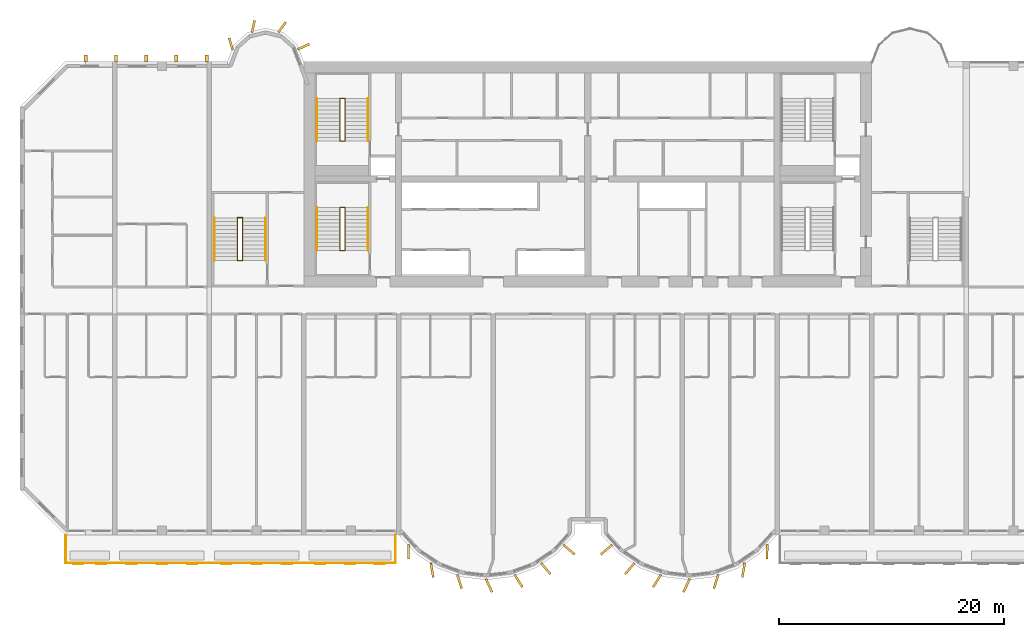
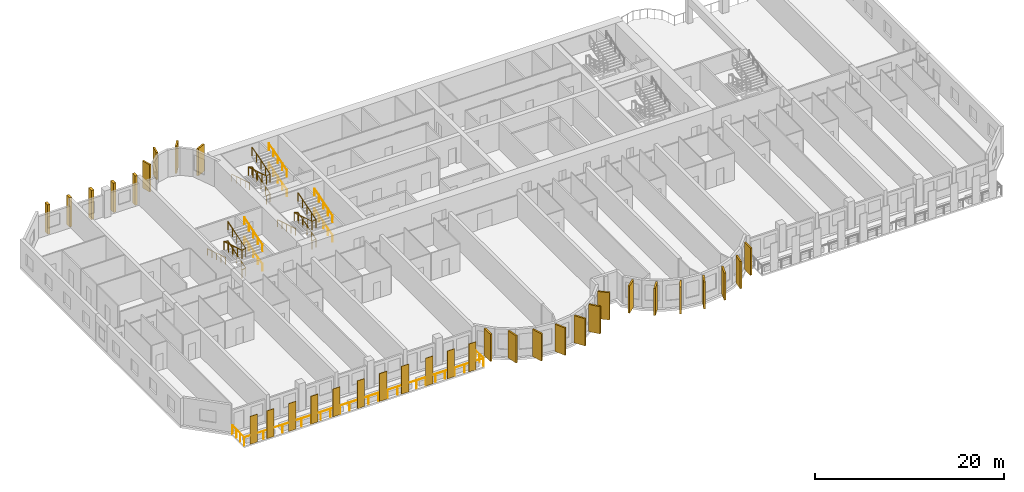
# One storey, part 12 of 14: 34 coverings, 13 railings.
"""IFC4 building model written with IfcOpenShell, lengths in metres."""

from ifc_helpers import new_model, si_unit, direction, frame, origin, origin_2d, place, context, subcontext, project, spatial, rectangle, circle, extrude, source, transform, mapped, material, layer, layer_set, material_profile, profile_set, type_object, element, save


model = new_model("IFC4")

# Units and contexts
model_context = context("Model", 3, precision=1e-05, world=origin(), true_north=direction((0.0, 1.0)))
body_context = subcontext(model_context, "Body", "Model", "MODEL_VIEW")
ifc_project = project(units=[si_unit("LENGTHUNIT", "METRE"), si_unit("AREAUNIT", "SQUARE_METRE"), si_unit("VOLUMEUNIT", "CUBIC_METRE"), si_unit("PLANEANGLEUNIT", "RADIAN"), si_unit("MASSUNIT", "GRAM", prefix="KILO")], contexts=[model_context])

# Site, building, storey
site_placement = place(None, origin())
site = spatial("IfcSite", under=ifc_project, at=site_placement, CompositionType="ELEMENT")
building_placement = place(site_placement, origin())
building = spatial("IfcBuilding", under=site, at=building_placement, Name="Vanashikhar Sky Hotel", CompositionType="ELEMENT")
storey_placement = place(building_placement, frame((0.0, 0.0, 58.199951171875)))
storey = spatial("IfcBuildingStorey", under=building, at=storey_placement, Name="L13", CompositionType="ELEMENT", Elevation=58.199951171875)

# Railing
ifc_material_1 = material(Name="Stainless steel 316", Category="steel")
railing_type_1 = type_object("IfcRailingType", Name="Balcony guard 1100", PredefinedType="GUARDRAIL", material=ifc_material_1)
shared_shape_1 = source(origin(), body_context, "Body", "SweptSolid", [
    extrude(circle(Radius=0.02392578125, at=origin_2d()), frame((0.0, 0.0, 1.076171875), z_axis=(0.0, -1.0, 0.0), x_axis=(1.0, 0.0, 0.0)), (0.0, 0.0, 1.0), 2.5),
    extrude(circle(Radius=0.02392578125, at=origin_2d()), frame((0.0, -2.5, 1.076171875), z_axis=(1.0, 0.0, 0.0), x_axis=(0.0, 1.0, 0.0)), (0.0, 0.0, 1.0), 29.280029296875),
    extrude(circle(Radius=0.02392578125, at=origin_2d()), frame((29.280029296875, -2.5, 1.076171875), z_axis=(0.0, 1.0, 0.0), x_axis=(-1.0, 0.0, 0.0)), (0.0, 0.0, 1.0), 2.5),
    extrude(circle(Radius=0.02099609375, at=origin_2d()), origin(), (0.0, 0.0, 1.0), 1.052001953125),
    extrude(circle(Radius=0.02099609375, at=origin_2d()), frame((0.0, -0.833251953125, 0.0)), (0.0, 0.0, 1.0), 1.052001953125),
    extrude(circle(Radius=0.02099609375, at=origin_2d()), frame((0.0, -1.666748046875, 0.0)), (0.0, 0.0, 1.0), 1.052001953125),
    extrude(circle(Radius=0.02099609375, at=origin_2d()), frame((0.0, -2.5, 0.0)), (0.0, 0.0, 1.0), 1.052001953125),
    extrude(circle(Radius=0.02099609375, at=origin_2d()), frame((1.171142578125, -2.5, 0.0)), (0.0, 0.0, 1.0), 1.052001953125),
    extrude(circle(Radius=0.02099609375, at=origin_2d()), frame((2.34228515625, -2.5, 0.0)), (0.0, 0.0, 1.0), 1.052001953125),
    extrude(circle(Radius=0.02099609375, at=origin_2d()), frame((3.513671875, -2.5, 0.0)), (0.0, 0.0, 1.0), 1.052001953125),
    extrude(circle(Radius=0.02099609375, at=origin_2d()), frame((4.684814453125, -2.5, 0.0)), (0.0, 0.0, 1.0), 1.052001953125),
    extrude(circle(Radius=0.02099609375, at=origin_2d()), frame((5.85595703125, -2.5, 0.0)), (0.0, 0.0, 1.0), 1.052001953125),
    extrude(circle(Radius=0.02099609375, at=origin_2d()), frame((7.027099609375, -2.5, 0.0)), (0.0, 0.0, 1.0), 1.052001953125),
    extrude(circle(Radius=0.02099609375, at=origin_2d()), frame((8.198486328125, -2.5, 0.0)), (0.0, 0.0, 1.0), 1.052001953125),
    extrude(circle(Radius=0.02099609375, at=origin_2d()), frame((9.36962890625, -2.5, 0.0)), (0.0, 0.0, 1.0), 1.052001953125),
    extrude(circle(Radius=0.02099609375, at=origin_2d()), frame((10.540771484375, -2.5, 0.0)), (0.0, 0.0, 1.0), 1.052001953125),
    extrude(circle(Radius=0.02099609375, at=origin_2d()), frame((11.7119140625, -2.5, 0.0)), (0.0, 0.0, 1.0), 1.052001953125),
    extrude(circle(Radius=0.02099609375, at=origin_2d()), frame((12.88330078125, -2.5, 0.0)), (0.0, 0.0, 1.0), 1.052001953125),
    extrude(circle(Radius=0.02099609375, at=origin_2d()), frame((14.054443359375, -2.5, 0.0)), (0.0, 0.0, 1.0), 1.052001953125),
    extrude(circle(Radius=0.02099609375, at=origin_2d()), frame((15.2255859375, -2.5, 0.0)), (0.0, 0.0, 1.0), 1.052001953125),
    extrude(circle(Radius=0.02099609375, at=origin_2d()), frame((16.396728515625, -2.5, 0.0)), (0.0, 0.0, 1.0), 1.052001953125),
    extrude(circle(Radius=0.02099609375, at=origin_2d()), frame((17.568115234375, -2.5, 0.0)), (0.0, 0.0, 1.0), 1.052001953125),
    extrude(circle(Radius=0.02099609375, at=origin_2d()), frame((18.7392578125, -2.5, 0.0)), (0.0, 0.0, 1.0), 1.052001953125),
    extrude(circle(Radius=0.02099609375, at=origin_2d()), frame((19.910400390625, -2.5, 0.0)), (0.0, 0.0, 1.0), 1.052001953125),
    extrude(circle(Radius=0.02099609375, at=origin_2d()), frame((21.08154296875, -2.5, 0.0)), (0.0, 0.0, 1.0), 1.052001953125),
    extrude(circle(Radius=0.02099609375, at=origin_2d()), frame((22.2529296875, -2.5, 0.0)), (0.0, 0.0, 1.0), 1.052001953125),
    extrude(circle(Radius=0.02099609375, at=origin_2d()), frame((23.424072265625, -2.5, 0.0)), (0.0, 0.0, 1.0), 1.052001953125),
    extrude(circle(Radius=0.02099609375, at=origin_2d()), frame((24.59521484375, -2.5, 0.0)), (0.0, 0.0, 1.0), 1.052001953125),
    extrude(circle(Radius=0.02099609375, at=origin_2d()), frame((25.766357421875, -2.5, 0.0)), (0.0, 0.0, 1.0), 1.052001953125),
    extrude(circle(Radius=0.02099609375, at=origin_2d()), frame((26.937744140625, -2.5, 0.0)), (0.0, 0.0, 1.0), 1.052001953125),
    extrude(circle(Radius=0.02099609375, at=origin_2d()), frame((28.10888671875, -2.5, 0.0)), (0.0, 0.0, 1.0), 1.052001953125),
    extrude(circle(Radius=0.02099609375, at=origin_2d()), frame((29.280029296875, -2.5, 0.0)), (0.0, 0.0, 1.0), 1.052001953125),
    extrude(circle(Radius=0.02099609375, at=origin_2d()), frame((29.280029296875, -1.666748046875, 0.0)), (0.0, 0.0, 1.0), 1.052001953125),
    extrude(circle(Radius=0.02099609375, at=origin_2d()), frame((29.280029296875, -0.833251953125, 0.0)), (0.0, 0.0, 1.0), 1.052001953125),
    extrude(circle(Radius=0.02099609375, at=origin_2d()), frame((29.280029296875, 0.0, 0.0)), (0.0, 0.0, 1.0), 1.052001953125),
])
railing_1_placement = place(storey_placement, frame((4.06005859375, 0.0, -0.050048828125)))
element("IfcRailing", 1, at=railing_1_placement, inside=storey, type_object=railing_type_1, Name="Balcony guard", PredefinedType="GUARDRAIL", context=body_context, shape_type="MappedRepresentation", body=[
    mapped(shared_shape_1, transform((0.0, 0.0, 0.0), scale=1.0)),
])

# Coverings
ifc_material_2 = material(Name="Terracotta", Category="masonry")
ifc_layer = layer(ifc_material_2, 0.06005859375)
ifc_layer_set = layer_set([ifc_layer], Name="Terracotta baguette screen")
covering_type_1 = type_object("IfcCoveringType", Name="Terracotta baguette screen", PredefinedType="CLADDING", material=ifc_layer_set)
shared_shape_2 = source(origin(), body_context, "Body", "SweptSolid", [
    extrude(rectangle(XDim=0.89990234375, YDim=0.06005859375, at=origin_2d()), origin(), (0.0, 0.0, 1.0), 3.60009765625),
])
for number, where, z_axis, x_axis, name in (
    (2, (5.175048828125, -2.570068359375, -0.050048828125), (0.0, 0.0, 1.0), (1.0, 0.0, 0.0), "Terracotta screen"),
    (3, (7.22509765625, -2.570068359375, -0.050048828125), (0.0, 0.0, 1.0), (1.0, 0.0, 0.0), "Terracotta screen"),
    (4, (9.89990234375, -2.570068359375, -0.050048828125), (0.0, 0.0, 1.0), (1.0, 0.0, 0.0), "Terracotta screen"),
    (5, (12.60009765625, -2.570068359375, -0.050048828125), (0.0, 0.0, 1.0), (1.0, 0.0, 0.0), "Terracotta screen"),
    (6, (15.300048828125, -2.570068359375, -0.050048828125), (0.0, 0.0, 1.0), (1.0, 0.0, 0.0), "Terracotta screen"),
    (7, (18.300048828125, -2.570068359375, -0.050048828125), (0.0, 0.0, 1.0), (1.0, 0.0, 0.0), "Terracotta screen"),
    (8, (21.0, -2.570068359375, -0.050048828125), (0.0, 0.0, 1.0), (1.0, 0.0, 0.0), "Terracotta screen"),
    (9, (23.699951171875, -2.570068359375, -0.050048828125), (0.0, 0.0, 1.0), (1.0, 0.0, 0.0), "Terracotta screen"),
    (10, (26.666748046875, -2.570068359375, -0.050048828125), (0.0, 0.0, 1.0), (1.0, 0.0, 0.0), "Terracotta screen"),
    (11, (29.300048828125, -2.570068359375, -0.050048828125), (0.0, 0.0, 1.0), (1.0, 0.0, 0.0), "Terracotta screen"),
    (12, (31.933349609375, -2.570068359375, -0.050048828125), (0.0, 0.0, 1.0), (1.0, 0.0, 0.0), "Terracotta screen"),
):
    element("IfcCovering", number, at=place(storey_placement, frame(where, z_axis=z_axis, x_axis=x_axis)), inside=storey, type_object=covering_type_1, Name=name, PredefinedType="CLADDING", context=body_context, shape_type="MappedRepresentation", body=[
        mapped(shared_shape_2, transform((0.0, 0.0, 0.0), scale=1.0)),
    ])
ifc_material_3 = material(Name="Concrete M60 dark", Category="concrete")
ifc_material_profile_1 = material_profile(ifc_material_3, rectangle(XDim=1.300048828125, YDim=0.199951171875, at=origin_2d()))
ifc_profile_set_1 = profile_set([ifc_material_profile_1], Name="Fin 1300 x 200")
covering_type_2 = type_object("IfcCoveringType", Name="Fin 1300 x 200", PredefinedType="CLADDING", material=ifc_profile_set_1)
shared_shape_3 = source(origin(), body_context, "Body", "SweptSolid", [
    extrude(rectangle(XDim=1.300048828125, YDim=0.199951171875, at=origin_2d()), origin(), (0.0, 0.0, 1.0), 3.52001953125),
])
for number, where, z_axis, x_axis, name in (
    (13, (34.482421875, -1.507080078125, 0.0), (0.0, 0.0, 1.0), (0.011588726826, -0.999932848451, 0.0), "Fin F1-1"),
    (14, (36.572509765625, -3.1220703125, 0.0), (0.0, 0.0, 1.0), (0.16989991575, -0.985461322746, 0.0), "Fin F1-2"),
    (15, (39.00830078125, -4.14306640625, 0.0), (0.0, 0.0, 1.0), (0.303966551867, -0.952682704444, 0.0), "Fin F1-3"),
    (16, (41.63232421875, -4.49853515625, 0.0), (0.0, 0.0, 1.0), (0.422618261741, -0.906307787037, 0.0), "Fin F1-4"),
    (17, (44.251953125, -4.083984375, 0.0), (0.0, 0.0, 1.0), (0.534411358496, -0.845224526331, 0.0), "Fin F1-5"),
    (18, (46.676025390625, -3.0, 0.0), (0.0, 0.0, 1.0), (0.645697609467, -0.763593214433, 0.0), "Fin F1-6"),
    (19, (48.7412109375, -1.3154296875, 0.0), (0.0, 0.0, 1.0), (0.758543912032, -0.65162192529, 0.0), "Fin F1-7"),
    (20, (52.058837890625, -1.3154296875, 0.0), (0.0, 0.0, 1.0), (-0.758543912032, -0.65162192529, 0.0), "Fin F2-1"),
    (21, (54.123779296875, -3.0, 0.0), (0.0, 0.0, 1.0), (-0.645697609467, -0.763593214433, 0.0), "Fin F2-2"),
    (22, (56.547119140625, -4.083984375, 0.0), (0.0, 0.0, 1.0), (-0.534411358496, -0.845224526331, 0.0), "Fin F2-3"),
    (23, (59.16748046875, -4.49853515625, 0.0), (0.0, 0.0, 1.0), (-0.422618261741, -0.906307787037, 0.0), "Fin F2-4"),
    (24, (61.790771484375, -4.14306640625, 0.0), (0.0, 0.0, 1.0), (-0.303966551867, -0.952682704444, 0.0), "Fin F2-5"),
    (25, (64.2275390625, -3.1220703125, 0.0), (0.0, 0.0, 1.0), (-0.16989991575, -0.985461322746, 0.0), "Fin F2-6"),
    (26, (66.317626953125, -1.507080078125, 0.0), (0.0, 0.0, 1.0), (-0.011588726826, -0.999932848451, 0.0), "Fin F2-7"),
):
    element("IfcCovering", number, at=place(storey_placement, frame(where, z_axis=z_axis, x_axis=x_axis)), inside=storey, type_object=covering_type_2, Name=name, PredefinedType="CLADDING", context=body_context, shape_type="MappedRepresentation", body=[
        mapped(shared_shape_3, transform((0.0, 0.0, 0.0), scale=1.0)),
    ])
ifc_material_profile_2 = material_profile(ifc_material_3, rectangle(XDim=1.10009765625, YDim=0.199951171875, at=origin_2d()))
ifc_profile_set_2 = profile_set([ifc_material_profile_2], Name="Rear lobe fin 1100 x 200")
covering_type_3 = type_object("IfcCoveringType", Name="Rear lobe fin 1100 x 200", PredefinedType="CLADDING", material=ifc_profile_set_2)
shared_shape_4 = source(origin(), body_context, "Body", "SweptSolid", [
    extrude(rectangle(XDim=1.10009765625, YDim=0.199951171875, at=origin_2d()), origin(), (0.0, 0.0, 1.0), 3.52001953125),
])
for number, where, z_axis, x_axis, name in (
    (27, (18.720703125, 43.580078125, 0.0), (0.0, 0.0, 1.0), (-0.262711264409, 0.964874495234, 0.0), "Fin R1-1"),
    (28, (20.710205078125, 45.1455078125, 0.0), (0.0, 0.0, 1.0), (0.224644935864, 0.974440687159, 0.0), "Fin R1-2"),
    (29, (23.261962890625, 45.06640625, 0.0), (0.0, 0.0, 1.0), (0.602065892195, 0.798446404874, 0.0), "Fin R1-3"),
    (30, (25.169677734375, 43.33447265625, 0.0), (0.0, 0.0, 1.0), (0.908004291068, 0.418960866193, 0.0), "Fin R1-4"),
):
    element("IfcCovering", number, at=place(storey_placement, frame(where, z_axis=z_axis, x_axis=x_axis)), inside=storey, type_object=covering_type_3, Name=name, PredefinedType="CLADDING", context=body_context, shape_type="MappedRepresentation", body=[
        mapped(shared_shape_4, transform((0.0, 0.0, 0.0), scale=1.0)),
    ])
ifc_material_profile_3 = material_profile(ifc_material_3, rectangle(XDim=0.60009765625, YDim=0.300048828125, at=origin_2d()))
ifc_profile_set_3 = profile_set([ifc_material_profile_3], Name="Rear rib 600 x 300")
covering_type_4 = type_object("IfcCoveringType", Name="Rear rib 600 x 300", PredefinedType="CLADDING", material=ifc_profile_set_3)
shared_shape_5 = source(origin(), body_context, "Body", "SweptSolid", [
    extrude(rectangle(XDim=0.60009765625, YDim=0.300048828125, at=origin_2d()), origin(), (0.0, 0.0, 1.0), 3.800048828125),
])
for number, where, z_axis, x_axis, name in (
    (31, (5.840087890625, 42.300048828125, -0.280029296875), (0.0, 0.0, 1.0), (0.0, 1.0, 0.0), "Rear rib"),
    (32, (8.52001953125, 42.300048828125, -0.280029296875), (0.0, 0.0, 1.0), (0.0, 1.0, 0.0), "Rear rib"),
    (33, (11.199951171875, 42.300048828125, -0.280029296875), (0.0, 0.0, 1.0), (0.0, 1.0, 0.0), "Rear rib"),
    (34, (13.8798828125, 42.300048828125, -0.280029296875), (0.0, 0.0, 1.0), (0.0, 1.0, 0.0), "Rear rib"),
    (35, (16.56005859375, 42.300048828125, -0.280029296875), (0.0, 0.0, 1.0), (0.0, 1.0, 0.0), "Rear rib"),
):
    element("IfcCovering", number, at=place(storey_placement, frame(where, z_axis=z_axis, x_axis=x_axis)), inside=storey, type_object=covering_type_4, Name=name, PredefinedType="CLADDING", context=body_context, shape_type="MappedRepresentation", body=[
        mapped(shared_shape_5, transform((0.0, 0.0, 0.0), scale=1.0)),
    ])

# Railings
ifc_material_4 = material(Name="Steel S355", Category="steel")
railing_type_2 = type_object("IfcRailingType", Name="Stair handrail 900", PredefinedType="HANDRAIL", material=ifc_material_4)
shared_shape_6 = source(origin(), body_context, "Body", "SweptSolid", [
    extrude(circle(Radius=0.02392578125, at=origin_2d()), frame((0.0, 0.0, 0.8759765625), z_axis=(0.0, 0.95635109408, 0.292220096591), x_axis=(-1.0, 0.0, 0.0)), (0.0, 0.0, 1.0), 3.973388671875),
    extrude(circle(Radius=0.02099609375, at=origin_2d()), origin(), (0.0, 0.0, 1.0), 0.851806640625),
    extrude(circle(Radius=0.02099609375, at=origin_2d()), frame((0.0, 0.949951171875, 0.290283203125)), (0.0, 0.0, 1.0), 0.851806640625),
    extrude(circle(Radius=0.02099609375, at=origin_2d()), frame((0.0, 1.89990234375, 0.58056640625)), (0.0, 0.0, 1.0), 0.851806640625),
    extrude(circle(Radius=0.02099609375, at=origin_2d()), frame((0.0, 2.85009765625, 0.870849609375)), (0.0, 0.0, 1.0), 0.851806640625),
    extrude(circle(Radius=0.02099609375, at=origin_2d()), frame((0.0, 3.800048828125, 1.1611328125)), (0.0, 0.0, 1.0), 0.851806640625),
])
for number, where, name in (
    (36, (30.89990234375, 25.25, 2.638916015625), "Exit stair 1 handrail"),
    (37, (30.89990234375, 34.949951171875, 2.638916015625), "Exit stair 5 handrail"),
):
    element("IfcRailing", number, at=place(storey_placement, frame(where)), inside=storey, type_object=railing_type_2, Name=name, PredefinedType="HANDRAIL", context=body_context, shape_type="MappedRepresentation", body=[
        mapped(shared_shape_6, transform((0.0, 0.0, 0.0), scale=1.0)),
    ])
shared_shape_7 = source(origin(), body_context, "Body", "SweptSolid", [
    extrude(circle(Radius=0.02392578125, at=origin_2d()), frame((0.0, 0.0, 0.8759765625), z_axis=(0.0, -0.95635109408, 0.292220096591), x_axis=(1.0, 0.0, 0.0)), (0.0, 0.0, 1.0), 3.973388671875),
    extrude(circle(Radius=0.02099609375, at=origin_2d()), origin(), (0.0, 0.0, 1.0), 0.851806640625),
    extrude(circle(Radius=0.02099609375, at=origin_2d()), frame((0.0, -0.949951171875, 0.290283203125)), (0.0, 0.0, 1.0), 0.851806640625),
    extrude(circle(Radius=0.02099609375, at=origin_2d()), frame((0.0, -1.89990234375, 0.58056640625)), (0.0, 0.0, 1.0), 0.851806640625),
    extrude(circle(Radius=0.02099609375, at=origin_2d()), frame((0.0, -2.85009765625, 0.870849609375)), (0.0, 0.0, 1.0), 0.851806640625),
    extrude(circle(Radius=0.02099609375, at=origin_2d()), frame((0.0, -3.800048828125, 1.1611328125)), (0.0, 0.0, 1.0), 0.851806640625),
])
for number, where, name in (
    (38, (26.35009765625, 29.050048828125, 1.372314453125), "Exit stair 1 handrail"),
    (39, (26.35009765625, 38.75, 1.372314453125), "Exit stair 5 handrail"),
):
    element("IfcRailing", number, at=place(storey_placement, frame(where)), inside=storey, type_object=railing_type_2, Name=name, PredefinedType="HANDRAIL", context=body_context, shape_type="MappedRepresentation", body=[
        mapped(shared_shape_7, transform((0.0, 0.0, 0.0), scale=1.0)),
    ])
railing_type_3 = type_object("IfcRailingType", Name="Stair guard 1100", PredefinedType="GUARDRAIL", material=ifc_material_4)
shared_shape_8 = source(origin(), body_context, "Body", "SweptSolid", [
    extrude(circle(Radius=0.02392578125, at=origin_2d()), frame((0.0, 0.0, 1.076171875), z_axis=(0.973520925263, 0.0, 0.228597917917), x_axis=(0.0, 1.0, 0.0)), (0.0, 0.0, 1.0), 0.46240234375),
    extrude(circle(Radius=0.02392578125, at=origin_2d()), frame((0.4501953125, 0.0, 1.181640625), z_axis=(0.0, 0.956368263741, 0.292163899395), x_axis=(-1.0, 0.0, 0.0)), (0.0, 0.0, 1.0), 3.973388671875),
    extrude(circle(Radius=0.02392578125, at=origin_2d()), frame((0.4501953125, 3.800048828125, 2.3427734375), z_axis=(-0.973520925263, 0.0, 0.228597917917), x_axis=(0.0, -1.0, 0.0)), (0.0, 0.0, 1.0), 0.46240234375),
    extrude(circle(Radius=0.02392578125, at=origin_2d()), frame((0.0, 3.800048828125, 2.4482421875), z_axis=(0.0, -0.95635109408, 0.292220096591), x_axis=(1.0, 0.0, 0.0)), (0.0, 0.0, 1.0), 3.973388671875),
    extrude(circle(Radius=0.02392578125, at=origin_2d()), frame((0.0, 0.0, 3.609375), z_axis=(0.973638301096, 0.0, 0.228097476179), x_axis=(0.0, 1.0, 0.0)), (0.0, 0.0, 1.0), 0.46240234375),
    extrude(circle(Radius=0.02392578125, at=origin_2d()), frame((0.4501953125, 0.0, 3.71484375), z_axis=(0.0, 0.95635109408, 0.292220096591), x_axis=(-1.0, 0.0, 0.0)), (0.0, 0.0, 1.0), 3.973388671875),
    extrude(circle(Radius=0.02099609375, at=origin_2d()), origin(), (0.0, 0.0, 1.0), 1.052001953125),
    extrude(circle(Radius=0.02099609375, at=origin_2d()), frame((0.4501953125, 0.0, 0.105712890625)), (0.0, 0.0, 1.0), 1.052001953125),
    extrude(circle(Radius=0.02099609375, at=origin_2d()), frame((0.4501953125, 0.949951171875, 0.39599609375)), (0.0, 0.0, 1.0), 1.052001953125),
    extrude(circle(Radius=0.02099609375, at=origin_2d()), frame((0.4501953125, 1.89990234375, 0.68603515625)), (0.0, 0.0, 1.0), 1.052001953125),
    extrude(circle(Radius=0.02099609375, at=origin_2d()), frame((0.4501953125, 2.85009765625, 0.976318359375)), (0.0, 0.0, 1.0), 1.052001953125),
    extrude(circle(Radius=0.02099609375, at=origin_2d()), frame((0.4501953125, 3.800048828125, 1.2666015625)), (0.0, 0.0, 1.0), 1.052001953125),
    extrude(circle(Radius=0.02099609375, at=origin_2d()), frame((0.0, 3.800048828125, 1.372314453125)), (0.0, 0.0, 1.0), 1.052001953125),
    extrude(circle(Radius=0.02099609375, at=origin_2d()), frame((0.0, 2.85009765625, 1.66259765625)), (0.0, 0.0, 1.0), 1.052001953125),
    extrude(circle(Radius=0.02099609375, at=origin_2d()), frame((0.0, 1.89990234375, 1.952880859375)), (0.0, 0.0, 1.0), 1.052001953125),
    extrude(circle(Radius=0.02099609375, at=origin_2d()), frame((0.0, 0.949951171875, 2.2431640625)), (0.0, 0.0, 1.0), 1.052001953125),
    extrude(circle(Radius=0.02099609375, at=origin_2d()), frame((0.0, 0.0, 2.533447265625)), (0.0, 0.0, 1.0), 1.052001953125),
    extrude(circle(Radius=0.02099609375, at=origin_2d()), frame((0.4501953125, 0.0, 2.638916015625)), (0.0, 0.0, 1.0), 1.052001953125),
    extrude(circle(Radius=0.02099609375, at=origin_2d()), frame((0.4501953125, 0.949951171875, 2.92919921875)), (0.0, 0.0, 1.0), 1.052001953125),
    extrude(circle(Radius=0.02099609375, at=origin_2d()), frame((0.4501953125, 1.89990234375, 3.219482421875)), (0.0, 0.0, 1.0), 1.052001953125),
    extrude(circle(Radius=0.02099609375, at=origin_2d()), frame((0.4501953125, 2.85009765625, 3.509765625)), (0.0, 0.0, 1.0), 1.052001953125),
    extrude(circle(Radius=0.02099609375, at=origin_2d()), frame((0.4501953125, 3.800048828125, 3.800048828125)), (0.0, 0.0, 1.0), 1.052001953125),
])
for number, where, name in (
    (40, (28.39990234375, 25.25, 0.0), "Exit stair 1 guard"),
    (41, (28.39990234375, 34.949951171875, 0.0), "Exit stair 5 guard"),
):
    element("IfcRailing", number, at=place(storey_placement, frame(where)), inside=storey, type_object=railing_type_3, Name=name, PredefinedType="GUARDRAIL", context=body_context, shape_type="MappedRepresentation", body=[
        mapped(shared_shape_8, transform((0.0, 0.0, 0.0), scale=1.0)),
    ])
shared_shape_9 = source(origin(), body_context, "Body", "SweptSolid", [
    extrude(circle(Radius=0.02392578125, at=origin_2d()), frame((0.0, 0.0, 0.8759765625), z_axis=(0.0, 0.956368263741, 0.292163899395), x_axis=(-1.0, 0.0, 0.0)), (0.0, 0.0, 1.0), 3.973388671875),
    extrude(circle(Radius=0.02099609375, at=origin_2d()), origin(), (0.0, 0.0, 1.0), 0.851806640625),
    extrude(circle(Radius=0.02099609375, at=origin_2d()), frame((0.0, 0.949951171875, 0.290283203125)), (0.0, 0.0, 1.0), 0.851806640625),
    extrude(circle(Radius=0.02099609375, at=origin_2d()), frame((0.0, 1.89990234375, 0.58056640625)), (0.0, 0.0, 1.0), 0.851806640625),
    extrude(circle(Radius=0.02099609375, at=origin_2d()), frame((0.0, 2.85009765625, 0.87060546875)), (0.0, 0.0, 1.0), 0.851806640625),
    extrude(circle(Radius=0.02099609375, at=origin_2d()), frame((0.0, 3.800048828125, 1.160888671875)), (0.0, 0.0, 1.0), 0.851806640625),
])
for number, where, name in (
    (42, (30.89990234375, 25.25, 0.105712890625), "Exit stair 1 handrail"),
    (43, (30.89990234375, 34.949951171875, 0.105712890625), "Exit stair 5 handrail"),
):
    element("IfcRailing", number, at=place(storey_placement, frame(where)), inside=storey, type_object=railing_type_2, Name=name, PredefinedType="HANDRAIL", context=body_context, shape_type="MappedRepresentation", body=[
        mapped(shared_shape_9, transform((0.0, 0.0, 0.0), scale=1.0)),
    ])
shared_shape_10 = source(origin(), body_context, "Body", "SweptSolid", [
    extrude(circle(Radius=0.02392578125, at=origin_2d()), frame((0.0, 0.0, 0.8759765625), z_axis=(0.0, 0.956345846891, 0.292237268557), x_axis=(-1.0, 0.0, 0.0)), (0.0, 0.0, 1.0), 3.97314453125),
    extrude(circle(Radius=0.02099609375, at=origin_2d()), origin(), (0.0, 0.0, 1.0), 0.851806640625),
    extrude(circle(Radius=0.02099609375, at=origin_2d()), frame((0.0, 0.949951171875, 0.290283203125)), (0.0, 0.0, 1.0), 0.851806640625),
    extrude(circle(Radius=0.02099609375, at=origin_2d()), frame((0.0, 1.89990234375, 0.58056640625)), (0.0, 0.0, 1.0), 0.851806640625),
    extrude(circle(Radius=0.02099609375, at=origin_2d()), frame((0.0, 2.849853515625, 0.870849609375)), (0.0, 0.0, 1.0), 0.851806640625),
    extrude(circle(Radius=0.02099609375, at=origin_2d()), frame((0.0, 3.7998046875, 1.1611328125)), (0.0, 0.0, 1.0), 0.851806640625),
])
railing_2_placement = place(storey_placement, frame((21.800048828125, 24.35009765625, 2.638916015625)))
element("IfcRailing", 44, at=railing_2_placement, inside=storey, type_object=railing_type_2, Name="Exit stair 3 handrail", PredefinedType="HANDRAIL", context=body_context, shape_type="MappedRepresentation", body=[
    mapped(shared_shape_10, transform((0.0, 0.0, 0.0), scale=1.0)),
])
shared_shape_11 = source(origin(), body_context, "Body", "SweptSolid", [
    extrude(circle(Radius=0.02392578125, at=origin_2d()), frame((0.0, 0.0, 0.8759765625), z_axis=(0.0, -0.956345846891, 0.292237268557), x_axis=(1.0, 0.0, 0.0)), (0.0, 0.0, 1.0), 3.97314453125),
    extrude(circle(Radius=0.02099609375, at=origin_2d()), origin(), (0.0, 0.0, 1.0), 0.851806640625),
    extrude(circle(Radius=0.02099609375, at=origin_2d()), frame((0.0, -0.949951171875, 0.290283203125)), (0.0, 0.0, 1.0), 0.851806640625),
    extrude(circle(Radius=0.02099609375, at=origin_2d()), frame((0.0, -1.89990234375, 0.58056640625)), (0.0, 0.0, 1.0), 0.851806640625),
    extrude(circle(Radius=0.02099609375, at=origin_2d()), frame((0.0, -2.849853515625, 0.870849609375)), (0.0, 0.0, 1.0), 0.851806640625),
    extrude(circle(Radius=0.02099609375, at=origin_2d()), frame((0.0, -3.7998046875, 1.1611328125)), (0.0, 0.0, 1.0), 0.851806640625),
])
railing_3_placement = place(storey_placement, frame((17.25, 28.14990234375, 1.372314453125)))
element("IfcRailing", 45, at=railing_3_placement, inside=storey, type_object=railing_type_2, Name="Exit stair 3 handrail", PredefinedType="HANDRAIL", context=body_context, shape_type="MappedRepresentation", body=[
    mapped(shared_shape_11, transform((0.0, 0.0, 0.0), scale=1.0)),
])
shared_shape_12 = source(origin(), body_context, "Body", "SweptSolid", [
    extrude(circle(Radius=0.02392578125, at=origin_2d()), frame((0.0, 0.0, 1.076171875), z_axis=(0.973493315427, 0.0, 0.228715466945), x_axis=(0.0, 1.0, 0.0)), (0.0, 0.0, 1.0), 0.462158203125),
    extrude(circle(Radius=0.02392578125, at=origin_2d()), frame((0.449951171875, 0.0, 1.181640625), z_axis=(0.0, 0.956363018476, 0.292181068675), x_axis=(-1.0, 0.0, 0.0)), (0.0, 0.0, 1.0), 3.97314453125),
    extrude(circle(Radius=0.02392578125, at=origin_2d()), frame((0.449951171875, 3.7998046875, 2.3427734375), z_axis=(-0.973493315427, 0.0, 0.228715466945), x_axis=(0.0, -1.0, 0.0)), (0.0, 0.0, 1.0), 0.462158203125),
    extrude(circle(Radius=0.02392578125, at=origin_2d()), frame((0.0, 3.7998046875, 2.4482421875), z_axis=(0.0, -0.956345846891, 0.292237268557), x_axis=(1.0, 0.0, 0.0)), (0.0, 0.0, 1.0), 3.97314453125),
    extrude(circle(Radius=0.02392578125, at=origin_2d()), frame((0.0, 0.0, 3.609375), z_axis=(0.973610808694, 0.0, 0.228214796178), x_axis=(0.0, 1.0, 0.0)), (0.0, 0.0, 1.0), 0.462158203125),
    extrude(circle(Radius=0.02392578125, at=origin_2d()), frame((0.449951171875, 0.0, 3.71484375), z_axis=(0.0, 0.956345846891, 0.292237268557), x_axis=(-1.0, 0.0, 0.0)), (0.0, 0.0, 1.0), 3.97314453125),
    extrude(circle(Radius=0.02099609375, at=origin_2d()), origin(), (0.0, 0.0, 1.0), 1.052001953125),
    extrude(circle(Radius=0.02099609375, at=origin_2d()), frame((0.449951171875, 0.0, 0.105712890625)), (0.0, 0.0, 1.0), 1.052001953125),
    extrude(circle(Radius=0.02099609375, at=origin_2d()), frame((0.449951171875, 0.949951171875, 0.39599609375)), (0.0, 0.0, 1.0), 1.052001953125),
    extrude(circle(Radius=0.02099609375, at=origin_2d()), frame((0.449951171875, 1.89990234375, 0.68603515625)), (0.0, 0.0, 1.0), 1.052001953125),
    extrude(circle(Radius=0.02099609375, at=origin_2d()), frame((0.449951171875, 2.849853515625, 0.976318359375)), (0.0, 0.0, 1.0), 1.052001953125),
    extrude(circle(Radius=0.02099609375, at=origin_2d()), frame((0.449951171875, 3.7998046875, 1.2666015625)), (0.0, 0.0, 1.0), 1.052001953125),
    extrude(circle(Radius=0.02099609375, at=origin_2d()), frame((0.0, 3.7998046875, 1.372314453125)), (0.0, 0.0, 1.0), 1.052001953125),
    extrude(circle(Radius=0.02099609375, at=origin_2d()), frame((0.0, 2.849853515625, 1.66259765625)), (0.0, 0.0, 1.0), 1.052001953125),
    extrude(circle(Radius=0.02099609375, at=origin_2d()), frame((0.0, 1.89990234375, 1.952880859375)), (0.0, 0.0, 1.0), 1.052001953125),
    extrude(circle(Radius=0.02099609375, at=origin_2d()), frame((0.0, 0.949951171875, 2.2431640625)), (0.0, 0.0, 1.0), 1.052001953125),
    extrude(circle(Radius=0.02099609375, at=origin_2d()), frame((0.0, 0.0, 2.533447265625)), (0.0, 0.0, 1.0), 1.052001953125),
    extrude(circle(Radius=0.02099609375, at=origin_2d()), frame((0.449951171875, 0.0, 2.638916015625)), (0.0, 0.0, 1.0), 1.052001953125),
    extrude(circle(Radius=0.02099609375, at=origin_2d()), frame((0.449951171875, 0.949951171875, 2.92919921875)), (0.0, 0.0, 1.0), 1.052001953125),
    extrude(circle(Radius=0.02099609375, at=origin_2d()), frame((0.449951171875, 1.89990234375, 3.219482421875)), (0.0, 0.0, 1.0), 1.052001953125),
    extrude(circle(Radius=0.02099609375, at=origin_2d()), frame((0.449951171875, 2.849853515625, 3.509765625)), (0.0, 0.0, 1.0), 1.052001953125),
    extrude(circle(Radius=0.02099609375, at=origin_2d()), frame((0.449951171875, 3.7998046875, 3.800048828125)), (0.0, 0.0, 1.0), 1.052001953125),
])
railing_4_placement = place(storey_placement, frame((19.300048828125, 24.35009765625, 0.0)))
element("IfcRailing", 46, at=railing_4_placement, inside=storey, type_object=railing_type_3, Name="Exit stair 3 guard", PredefinedType="GUARDRAIL", context=body_context, shape_type="MappedRepresentation", body=[
    mapped(shared_shape_12, transform((0.0, 0.0, 0.0), scale=1.0)),
])
shared_shape_13 = source(origin(), body_context, "Body", "SweptSolid", [
    extrude(circle(Radius=0.02392578125, at=origin_2d()), frame((0.0, 0.0, 0.8759765625), z_axis=(0.0, 0.956363018476, 0.292181068675), x_axis=(-1.0, 0.0, 0.0)), (0.0, 0.0, 1.0), 3.97314453125),
    extrude(circle(Radius=0.02099609375, at=origin_2d()), origin(), (0.0, 0.0, 1.0), 0.851806640625),
    extrude(circle(Radius=0.02099609375, at=origin_2d()), frame((0.0, 0.949951171875, 0.290283203125)), (0.0, 0.0, 1.0), 0.851806640625),
    extrude(circle(Radius=0.02099609375, at=origin_2d()), frame((0.0, 1.89990234375, 0.58056640625)), (0.0, 0.0, 1.0), 0.851806640625),
    extrude(circle(Radius=0.02099609375, at=origin_2d()), frame((0.0, 2.849853515625, 0.87060546875)), (0.0, 0.0, 1.0), 0.851806640625),
    extrude(circle(Radius=0.02099609375, at=origin_2d()), frame((0.0, 3.7998046875, 1.160888671875)), (0.0, 0.0, 1.0), 0.851806640625),
])
railing_5_placement = place(storey_placement, frame((21.800048828125, 24.35009765625, 0.105712890625)))
element("IfcRailing", 47, at=railing_5_placement, inside=storey, type_object=railing_type_2, Name="Exit stair 3 handrail", PredefinedType="HANDRAIL", context=body_context, shape_type="MappedRepresentation", body=[
    mapped(shared_shape_13, transform((0.0, 0.0, 0.0), scale=1.0)),
])

save(model, "model.ifc")
